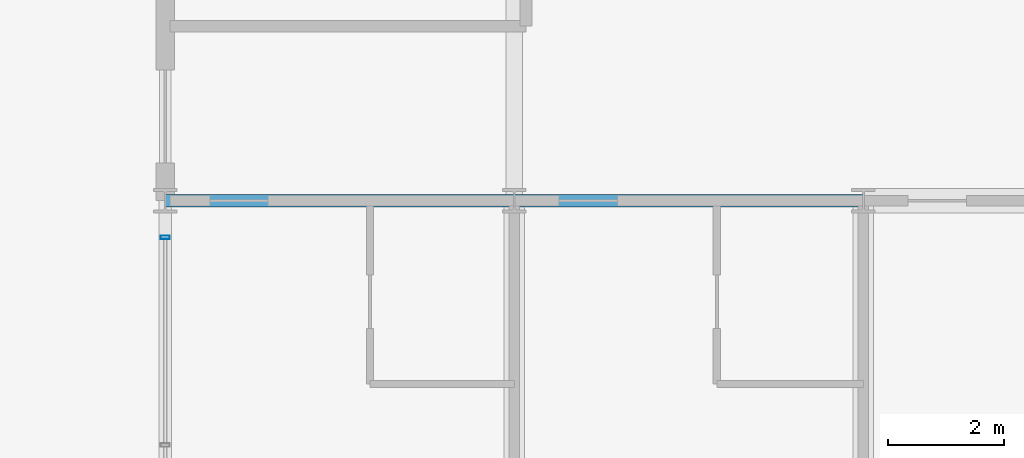
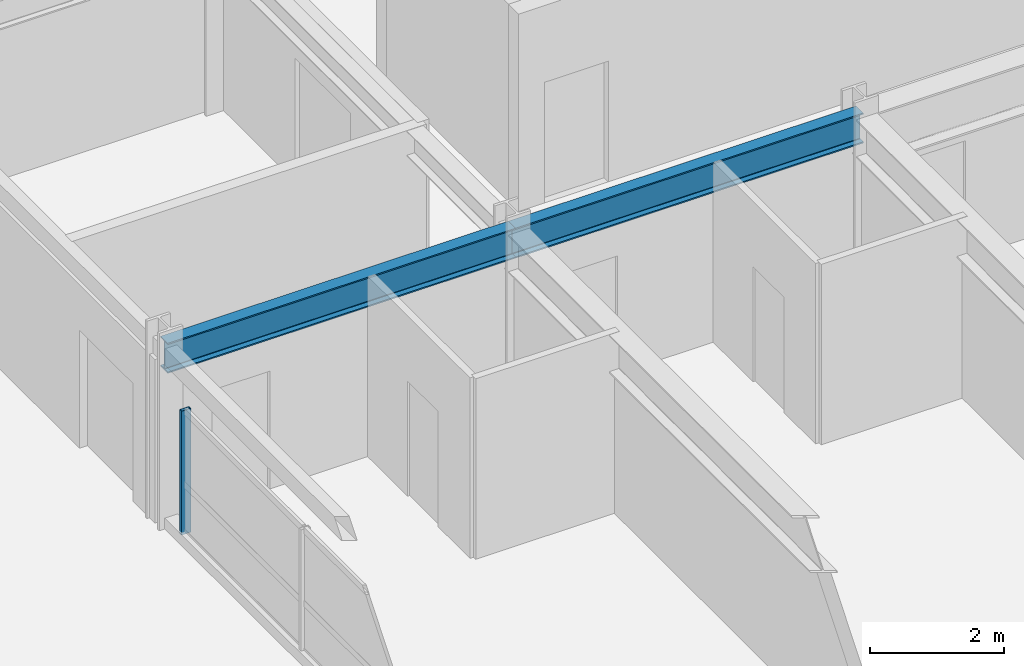
# One storey, part 4 of 21: 2 beams, 1 member, 1 element without a shape of its own.
"""IFC4 building model written with IfcOpenShell, lengths in metres."""

from ifc_helpers import new_model, si_unit, direction, frame, origin, origin_2d, place, context, subcontext, project, spatial, hollow_rectangle, i_section, extrude, material, material_profile, profile_set, type_object, element, aggregate, save


model = new_model("IFC4")

# Units and contexts
model_context = context("Model", 3, precision=1e-05, world=origin(), true_north=direction((0.0, 1.0)))
body_context = subcontext(model_context, "Body", "Model", "MODEL_VIEW")
ifc_project = project(units=[si_unit("LENGTHUNIT", "METRE"), si_unit("AREAUNIT", "SQUARE_METRE"), si_unit("VOLUMEUNIT", "CUBIC_METRE"), si_unit("PLANEANGLEUNIT", "RADIAN"), si_unit("MASSUNIT", "GRAM", prefix="KILO")], contexts=[model_context])

# Site, building, storey
site_placement = place(None, origin())
site = spatial("IfcSite", under=ifc_project, at=site_placement, CompositionType="ELEMENT")
building_placement = place(site_placement, origin())
building = spatial("IfcBuilding", under=site, at=building_placement, Name="Kaldorvane Square Convention Centre", CompositionType="ELEMENT")
storey_placement = place(building_placement, frame((0.0, 0.0, 49.19999694824219)))
storey = spatial("IfcBuildingStorey", under=building, at=storey_placement, Name="L11", CompositionType="ELEMENT", Elevation=49.19999694824219)

# Beams
ifc_material_1 = material(Name="Steel ASTM A992 Gr. 50", Category="steel")
ifc_material_profile_1 = material_profile(ifc_material_1, i_section(OverallWidth=0.213897705078125, OverallDepth=0.549102783203125, WebThickness=0.0146942138671875, FlangeThickness=0.0236053466796875, FilletRadius=0.0126953125, at=origin_2d()), Name="W21X93")
ifc_profile_set_1 = profile_set([ifc_material_profile_1], Name="Steel ASTM A992 Gr. 50")
beam_type = type_object("IfcBeamType", Name="BM-GR-W21X93", PredefinedType="BEAM", material=ifc_profile_set_1)
for number, where, z_axis, x_axis, name in (
    (1, (30.0, 96.0, 3.011505126953125), (1.0, 0.0, 0.0), (0.0, 1.0, 0.0), "Primary Girder (L11)"),
    (2, (36.0, 96.0, 3.011505126953125), (1.0, 0.0, 0.0), (0.0, 1.0, 0.0), "Primary Girder (L11)"),
):
    element("IfcBeam", number, at=place(storey_placement, frame(where, z_axis=z_axis, x_axis=x_axis)), inside=storey, type_object=beam_type, Name=name, PredefinedType="BEAM", context=body_context, shape_type="SweptSolid", body=[
        extrude(i_section(OverallWidth=0.213897705078125, OverallDepth=0.549102783203125, WebThickness=0.0146942138671875, FlangeThickness=0.0236053466796875, FilletRadius=0.0126953125, at=origin_2d()), origin(), (0.0, 0.0, 1.0), 6.0),
    ])

# Curtain wall, member
ifc_material_2 = material(Name="Anodized Aluminum and Low-E Insulated Glazing", Category="aluminium")
curtain_wall_type = type_object("IfcCurtainWallType", Name="CW-UNI-HTL-B", PredefinedType="USERDEFINED", material=ifc_material_2)
curtain_wall_placement = place(storey_placement, origin())
curtain_wall = element("IfcCurtainWall", 3, at=curtain_wall_placement, inside=storey, type_object=curtain_wall_type, Name="Curtain Wall CW-11 (L11)", ObjectType="UNITISED GLAZING", PredefinedType="USERDEFINED")
ifc_material_profile_2 = material_profile(ifc_material_2, hollow_rectangle(XDim=0.05999755859375, YDim=0.160003662109375, WallThickness=0.003204345703125, at=origin_2d()), Name="CWM-160X60")
ifc_profile_set_2 = profile_set([ifc_material_profile_2], Name="Anodized Aluminum and Low-E Insulated Glazing")
member_type = type_object("IfcMemberType", Name="CW-MUL-160", PredefinedType="MULLION", material=ifc_profile_set_2)
member_placement = place(storey_placement, frame((30.0, 95.3699951171875, 0.1500091552734375), z_axis=(0.0, 0.0, 1.0), x_axis=(0.0, -1.0, 0.0)))
member = element("IfcMember", 4, at=member_placement, type_object=member_type, Name="CW-11 mullion 1", PredefinedType="MULLION", context=body_context, shape_type="SweptSolid", body=[
    extrude(hollow_rectangle(XDim=0.05999755859375, YDim=0.160003662109375, WallThickness=0.003204345703125, at=origin_2d()), origin(), (0.0, 0.0, 1.0), 2.2599945068359375),
])
aggregate(curtain_wall, [member])

save(model, "model.ifc")
